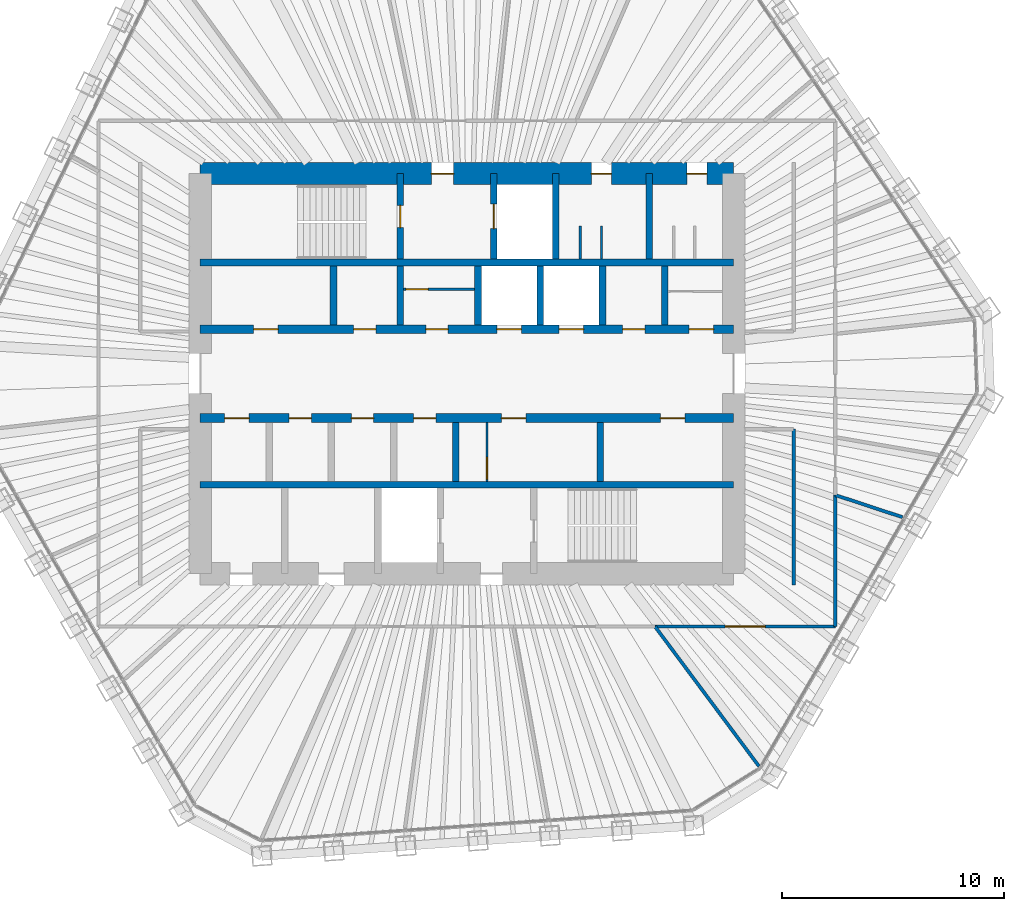
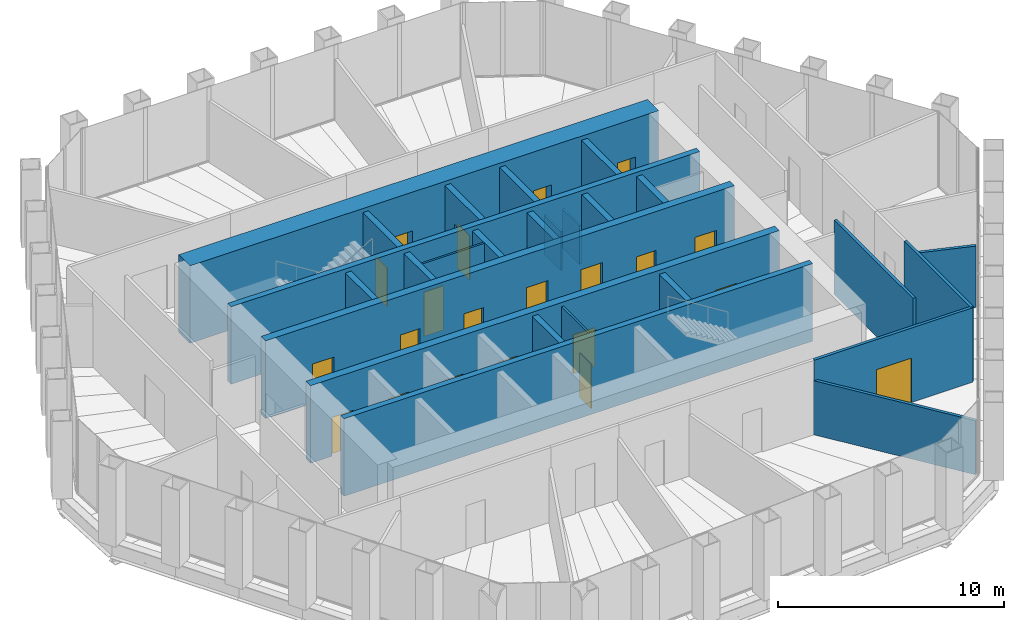
# One storey, part 12 of 14: 26 walls, 21 doors, 21 openings.
"""IFC4 building model written with IfcOpenShell, lengths in metres."""

import ifcopenshell
import ifcopenshell.guid

model = None  # the IFC model being written
_history = None  # IfcOwnerHistory: only IFC2X3 demands one
_inside = {}  # id of a spatial element -> (the spatial element, [elements in it])
_under = {}  # id of a project, library or spatial element -> (it, [spatial elements below it])
_declared = {}  # id of a project -> (the project, [libraries it declares])
_typed = {}  # id of a type object -> (the type object, [elements of that type])
_made_of = {}  # id of a material, layer set ... -> (it, [elements and type objects made of it])


def new_model(schema):
    """Start an empty IFC model of exactly this schema.

    Asked for "IFC4X3", IfcOpenShell would pick the latest addendum, in which some entities
    have other attributes; the version numbers below select the first issue.
    IFC2X3 requires an IfcOwnerHistory on every rooted entity: one is made here for all.
    """
    global model, _history
    if schema == "IFC4X3":
        model = ifcopenshell.file(schema_version=(4, 3, 0, 0))
    else:
        model = ifcopenshell.file(schema=schema)
    _inside.clear()
    _under.clear()
    _declared.clear()
    _typed.clear()
    _made_of.clear()
    _history = None
    if model.schema == "IFC2X3":
        org = make("IfcOrganization", Name="unknown")
        user = make(
            "IfcPersonAndOrganization",
            ThePerson=make("IfcPerson", FamilyName="unknown"),
            TheOrganization=org,
        )
        app = make(
            "IfcApplication",
            ApplicationDeveloper=org,
            Version="unknown",
            ApplicationFullName="unknown",
            ApplicationIdentifier="unknown",
        )
        _history = make(
            "IfcOwnerHistory",
            OwningUser=user,
            OwningApplication=app,
            ChangeAction="ADDED",
            CreationDate=0,
        )
    return model


def make(cls, **values):
    """One entity of the class cls with the attributes given. An attribute that is None is left unset."""
    return model.create_entity(
        cls, **{name: value for name, value in values.items() if value is not None}
    )


def rooted(cls, **values):
    """An entity with a GlobalId (a new one), such as an element, a storey or a relation."""
    return make(cls, GlobalId=ifcopenshell.guid.new(), OwnerHistory=_history, **values)


def si_unit(unit_type, name, prefix=None):
    """IfcSIUnit, for example si_unit("LENGTHUNIT", "METRE", prefix="MILLI")."""
    return make("IfcSIUnit", UnitType=unit_type, Prefix=prefix, Name=name)


def assignment(units):
    """IfcUnitAssignment: the units of a project."""
    return None if units is None else make("IfcUnitAssignment", Units=units)


def point(xyz):
    """IfcCartesianPoint."""
    return None if xyz is None else make("IfcCartesianPoint", Coordinates=xyz)


def direction(xyz):
    """IfcDirection."""
    return None if xyz is None else make("IfcDirection", DirectionRatios=xyz)


def frame(location, z_axis=None, x_axis=None):
    """IfcAxis2Placement3D, a coordinate frame: its origin and axes. An axis left out is left unset."""
    return make(
        "IfcAxis2Placement3D",
        Location=point(location),
        Axis=direction(z_axis),
        RefDirection=direction(x_axis),
    )


def frame_2d(location, x_axis=None):
    """IfcAxis2Placement2D, a coordinate frame in the plane: its origin and x axis."""
    return make(
        "IfcAxis2Placement2D", Location=point(location), RefDirection=direction(x_axis)
    )


def origin():
    """The frame at (0, 0, 0) with its axes left unset."""
    return frame((0.0, 0.0, 0.0))


def place(relative_to, where):
    """IfcLocalPlacement: puts the frame where relative to a parent placement (None: the world)."""
    return make(
        "IfcLocalPlacement", PlacementRelTo=relative_to, RelativePlacement=where
    )


def context(
    kind, dimensions, precision=None, world=None, true_north=None, identifier=None
):
    """IfcGeometricRepresentationContext, for example the 3D "Model" context."""
    return make(
        "IfcGeometricRepresentationContext",
        ContextIdentifier=identifier,
        ContextType=kind,
        CoordinateSpaceDimension=dimensions,
        Precision=precision,
        WorldCoordinateSystem=world,
        TrueNorth=true_north,
    )


def subcontext(parent, identifier, kind, view, scale=None):
    """IfcGeometricRepresentationSubContext, for example "Body" below "Model"."""
    return make(
        "IfcGeometricRepresentationSubContext",
        ContextIdentifier=identifier,
        ContextType=kind,
        ParentContext=parent,
        TargetScale=scale,
        TargetView=view,
    )


def project(units=None, contexts=None):
    """IfcProject with its units and contexts."""
    return rooted(
        "IfcProject",
        Name="project",
        RepresentationContexts=contexts,
        UnitsInContext=assignment(units),
    )


def spatial(cls, under=None, at=None, **own):
    """A site, building, storey or space (cls), placed at a placement, below another one or the project."""
    s = rooted(cls, ObjectPlacement=at, **own)
    if under is not None:
        _under.setdefault(under.id(), (under, []))[1].append(s)
    return s


def profile(cls, at=None, kind="AREA", **sizes):
    """A parametric profile (cls). Its sizes go by their IFC names, for example OverallWidth=200.0."""
    return make(cls, ProfileType=kind, Position=at, **sizes)


def rectangle(**sizes):
    """IfcRectangleProfileDef."""
    return profile("IfcRectangleProfileDef", **sizes)


def extrude(swept, where, along, depth):
    """IfcExtrudedAreaSolid: the profile swept, set in the frame where, extruded along a direction by depth."""
    return make(
        "IfcExtrudedAreaSolid",
        SweptArea=swept,
        Position=where,
        ExtrudedDirection=direction(along),
        Depth=depth,
    )


def shape(context_of_items, identifier, shape_type, items):
    """IfcShapeRepresentation: the items that make up one representation, for example the "Body"."""
    return make(
        "IfcShapeRepresentation",
        ContextOfItems=context_of_items,
        RepresentationIdentifier=identifier,
        RepresentationType=shape_type,
        Items=items,
    )


def material(Name=None, Category=None):
    """IfcMaterial."""
    return make("IfcMaterial", Name=Name, Category=Category)


def layer(
    of_material, thickness, ventilated=None, Name=None, Category=None, Priority=None
):
    """IfcMaterialLayer: one layer of a wall or slab, of a material (None: an air gap)."""
    return make(
        "IfcMaterialLayer",
        Material=of_material,
        LayerThickness=thickness,
        IsVentilated=ventilated,
        Name=Name,
        Category=Category,
        Priority=Priority,
    )


def layer_set(layers, Name=None):
    """IfcMaterialLayerSet."""
    return make("IfcMaterialLayerSet", MaterialLayers=layers, LayerSetName=Name)


def made_of(thing, what):
    """Note that an element or type object is made of a material, layer set ...; save() writes the relation."""
    if what is not None:
        _made_of.setdefault(what.id(), (what, []))[1].append(thing)
    return thing


def type_object(cls, material=None, **own):
    """A type object (cls), such as IfcWallType, which elements share."""
    return made_of(rooted(cls, **own), material)


def element(
    cls,
    number,
    at=None,
    inside=None,
    cuts=None,
    type_object=None,
    material=None,
    context=None,
    identifier="Body",
    shape_type=None,
    held_by="IfcProductDefinitionShape",
    body=None,
    shapes=None,
    **own,
):
    """One element of the class cls, such as IfcWall. Its Tag is "e" and its number.

    at: its placement. inside: the storey or other place that contains it. cuts: it is an
    opening in that element (IfcRelVoidsElement). A single representation is given by context,
    identifier, shape_type and body (its items); several are given by shapes. held_by: the class
    of the entity that holds the representations. save() writes the other relations.
    """
    e = rooted(cls, Tag="e%d" % number, ObjectPlacement=at, **own)
    if body is not None:
        shapes = [shape(context, identifier, shape_type, body)]
    if shapes is not None:
        e.Representation = make(held_by, Representations=shapes)
    if inside is not None:
        _inside.setdefault(inside.id(), (inside, []))[1].append(e)
    if cuts is not None:
        rooted(
            "IfcRelVoidsElement", RelatingBuildingElement=cuts, RelatedOpeningElement=e
        )
    if type_object is not None:
        _typed.setdefault(type_object.id(), (type_object, []))[1].append(e)
    return made_of(e, material)


def fill(opening, filler):
    """IfcRelFillsElement: the door or window that sits in an opening."""
    return rooted(
        "IfcRelFillsElement",
        RelatingOpeningElement=opening,
        RelatedBuildingElement=filler,
    )


def aggregate(whole, parts):
    """IfcRelAggregates: a whole, such as a stair, and the parts it consists of."""
    return rooted("IfcRelAggregates", RelatingObject=whole, RelatedObjects=parts)


def save(model, path):
    """Write the relations noted so far, then the file.

    IfcRelAggregates (storeys below a building ...), IfcRelContainedInSpatialStructure (elements
    in a storey), IfcRelDefinesByType, IfcRelAssociatesMaterial and IfcRelDeclares: one each for
    every whole, place, type object, material and project.
    """
    for whole, parts in _under.values():
        aggregate(whole, parts)
    for where, things in _inside.values():
        rooted(
            "IfcRelContainedInSpatialStructure",
            RelatedElements=things,
            RelatingStructure=where,
        )
    for kind, things in _typed.values():
        rooted("IfcRelDefinesByType", RelatedObjects=things, RelatingType=kind)
    for what, things in _made_of.values():
        rooted("IfcRelAssociatesMaterial", RelatedObjects=things, RelatingMaterial=what)
    for by, libraries in _declared.values():
        rooted("IfcRelDeclares", RelatingContext=by, RelatedDefinitions=libraries)
    model.write(path)


model = new_model("IFC4")

# Units and contexts
model_context = context("Model", 3, precision=1e-05, world=origin(), true_north=direction((0.0, 1.0)))
body_context = subcontext(model_context, "Body", "Model", "MODEL_VIEW")
ifc_project = project(units=[si_unit("LENGTHUNIT", "METRE"), si_unit("AREAUNIT", "SQUARE_METRE"), si_unit("VOLUMEUNIT", "CUBIC_METRE"), si_unit("PLANEANGLEUNIT", "RADIAN"), si_unit("MASSUNIT", "GRAM", prefix="KILO")], contexts=[model_context])

# Site, building, storey
site_placement = place(None, origin())
site = spatial("IfcSite", under=ifc_project, at=site_placement, CompositionType="ELEMENT")
building_placement = place(site_placement, origin())
building = spatial("IfcBuilding", under=site, at=building_placement, Name="Qingtian Harvest Tower", CompositionType="ELEMENT")
storey_placement = place(building_placement, frame((0.0, 0.0, 278.800048828125)))
storey = spatial("IfcBuildingStorey", under=building, at=storey_placement, Name="L61", CompositionType="ELEMENT", Elevation=278.800048828125)

# Walls
ifc_material_1 = material(Name="Concrete fc' 70 MPa", Category="concrete")
ifc_layer_1 = layer(ifc_material_1, 0.300048828125)
ifc_layer_set_1 = layer_set([ifc_layer_1], Name="Core inner wall RC5 300")
wall_type_1 = type_object("IfcWallType", Name="Core inner wall RC5 300", PredefinedType="SHEAR", material=ifc_layer_set_1)
for number, where, z_axis, x_axis, name in (
    (1, (-12.0, 5.0, 0.0), (0.0, 0.0, 1.0), (1.0, 0.0, 0.0), "Core wall IN5 L61"),
    (2, (-12.0, -5.0, 0.0), (0.0, 0.0, 1.0), (1.0, 0.0, 0.0), "Core wall IS5 L61"),
):
    element("IfcWall", number, at=place(storey_placement, frame(where, z_axis=z_axis, x_axis=x_axis)), inside=storey, type_object=wall_type_1, Name=name, PredefinedType="SHEAR", context=body_context, shape_type="SweptSolid", body=[
        extrude(rectangle(XDim=24.0, YDim=0.300048828125, at=frame_2d((12.0, 0.0))), origin(), (0.0, 0.0, 1.0), 4.199951171875),
    ])

# Wall, openings, doors
ifc_material_2 = material(Name="Concrete fc' 70 MPa", Category="concrete")
ifc_layer_2 = layer(ifc_material_2, 0.39990234375)
ifc_layer_set_2 = layer_set([ifc_layer_2], Name="Core inner web RC6 400")
wall_type_2 = type_object("IfcWallType", Name="Core inner web RC6 400", PredefinedType="SHEAR", material=ifc_layer_set_2)
wall_1_placement = place(storey_placement, frame((-12.0, 2.0, 0.0), z_axis=(0.0, 0.0, 1.0), x_axis=(1.0, 0.0, 0.0)))
wall_1 = element("IfcWall", 3, at=wall_1_placement, inside=storey, type_object=wall_type_2, Name="Core wall IN2 L61", PredefinedType="SHEAR", context=body_context, shape_type="SweptSolid", body=[
    extrude(rectangle(XDim=24.0, YDim=0.39990234375, at=frame_2d((12.0, 0.0))), origin(), (0.0, 0.0, 1.0), 4.199951171875),
])
opening_1_placement = place(wall_1_placement, frame((2.39990234375, 0.0, 0.0)))
opening_1 = element("IfcOpeningElement", 4, at=opening_1_placement, cuts=wall_1, Name="Opening FD4", PredefinedType="OPENING", context=body_context, shape_type="SweptSolid", body=[
    extrude(rectangle(XDim=1.10009765625, YDim=2.10009765625, at=frame_2d((0.550048828125, 1.050048828125))), frame((0.0, 0.2099609375, 0.0), z_axis=(0.0, -1.0, 0.0), x_axis=(1.0, 0.0, 0.0)), (0.0, 0.0, 1.0), 0.419921875),
])
opening_2_placement = place(wall_1_placement, frame((22.0, 0.0, 0.0)))
opening_2 = element("IfcOpeningElement", 5, at=opening_2_placement, cuts=wall_1, Name="Opening FD4", PredefinedType="OPENING", context=body_context, shape_type="SweptSolid", body=[
    extrude(rectangle(XDim=1.10009765625, YDim=2.10009765625, at=frame_2d((0.550048828125, 1.050048828125))), frame((0.0, 0.2099609375, 0.0), z_axis=(0.0, -1.0, 0.0), x_axis=(1.0, 0.0, 0.0)), (0.0, 0.0, 1.0), 0.419921875),
])
opening_3_placement = place(wall_1_placement, frame((10.14990234375, 0.0, 0.0)))
opening_3 = element("IfcOpeningElement", 6, at=opening_3_placement, cuts=wall_1, Name="Opening FD1", PredefinedType="OPENING", context=body_context, shape_type="SweptSolid", body=[
    extrude(rectangle(XDim=1.0, YDim=2.10009765625, at=frame_2d((0.5, 1.050048828125))), frame((0.0, 0.2099609375, 0.0), z_axis=(0.0, -1.0, 0.0), x_axis=(1.0, 0.0, 0.0)), (0.0, 0.0, 1.0), 0.419921875),
])
opening_4_placement = place(wall_1_placement, frame((6.89990234375, 0.0, 0.0)))
opening_4 = element("IfcOpeningElement", 7, at=opening_4_placement, cuts=wall_1, Name="Opening FD1", PredefinedType="OPENING", context=body_context, shape_type="SweptSolid", body=[
    extrude(rectangle(XDim=1.0, YDim=2.10009765625, at=frame_2d((0.5, 1.050048828125))), frame((0.0, 0.2099609375, 0.0), z_axis=(0.0, -1.0, 0.0), x_axis=(1.0, 0.0, 0.0)), (0.0, 0.0, 1.0), 0.419921875),
])
opening_5_placement = place(wall_1_placement, frame((13.35009765625, 0.0, 0.0)))
opening_5 = element("IfcOpeningElement", 8, at=opening_5_placement, cuts=wall_1, Name="Opening LD1", PredefinedType="OPENING", context=body_context, shape_type="SweptSolid", body=[
    extrude(rectangle(XDim=1.10009765625, YDim=2.39990234375, at=frame_2d((0.550048828125, 1.199951171875))), frame((0.0, 0.2099609375, 0.0), z_axis=(0.0, -1.0, 0.0), x_axis=(1.0, 0.0, 0.0)), (0.0, 0.0, 1.0), 0.419921875),
])
opening_6_placement = place(wall_1_placement, frame((16.14990234375, 0.0, 0.0)))
opening_6 = element("IfcOpeningElement", 9, at=opening_6_placement, cuts=wall_1, Name="Opening LD1", PredefinedType="OPENING", context=body_context, shape_type="SweptSolid", body=[
    extrude(rectangle(XDim=1.10009765625, YDim=2.39990234375, at=frame_2d((0.550048828125, 1.199951171875))), frame((0.0, 0.2099609375, 0.0), z_axis=(0.0, -1.0, 0.0), x_axis=(1.0, 0.0, 0.0)), (0.0, 0.0, 1.0), 0.419921875),
])
opening_7_placement = place(wall_1_placement, frame((19.0, 0.0, 0.0)))
opening_7 = element("IfcOpeningElement", 10, at=opening_7_placement, cuts=wall_1, Name="Opening FD1", PredefinedType="OPENING", context=body_context, shape_type="SweptSolid", body=[
    extrude(rectangle(XDim=1.0, YDim=2.10009765625, at=frame_2d((0.5, 1.050048828125))), frame((0.0, 0.2099609375, 0.0), z_axis=(0.0, -1.0, 0.0), x_axis=(1.0, 0.0, 0.0)), (0.0, 0.0, 1.0), 0.419921875),
])
ifc_material_3 = material(Name="Steel-faced door leaf", Category="steel")
door_type_1 = type_object("IfcDoorType", Name="Fire door FD1 single 1 HR", OperationType="SINGLE_SWING_LEFT", PredefinedType="DOOR", material=ifc_material_3)
door_1_placement = place(opening_3_placement, origin())
door_1 = element("IfcDoor", 11, at=door_1_placement, inside=storey, type_object=door_type_1, Name="STA door L61", OperationType="SINGLE_SWING_RIGHT", OverallHeight=2.10009765625, OverallWidth=1.0, PredefinedType="DOOR", context=body_context, shape_type="SweptSolid", body=[
    extrude(rectangle(XDim=1.0, YDim=2.10009765625, at=frame_2d((0.5, 1.050048828125))), frame((0.0, 0.02490234375, 0.0), z_axis=(0.0, -1.0, 0.0), x_axis=(1.0, 0.0, 0.0)), (0.0, 0.0, 1.0), 0.050048828125),
])
fill(opening_3, door_1)
door_2_placement = place(opening_4_placement, origin())
door_2 = element("IfcDoor", 12, at=door_2_placement, inside=storey, type_object=door_type_1, Name="Pantry door L61", OperationType="SINGLE_SWING_RIGHT", OverallHeight=2.10009765625, OverallWidth=1.0, PredefinedType="DOOR", context=body_context, shape_type="SweptSolid", body=[
    extrude(rectangle(XDim=1.0, YDim=2.10009765625, at=frame_2d((0.5, 1.050048828125))), frame((0.0, 0.02490234375, 0.0), z_axis=(0.0, -1.0, 0.0), x_axis=(1.0, 0.0, 0.0)), (0.0, 0.0, 1.0), 0.050048828125),
])
fill(opening_4, door_2)
door_3_placement = place(opening_7_placement, origin())
door_3 = element("IfcDoor", 13, at=door_3_placement, inside=storey, type_object=door_type_1, Name="Tool store door L61", OperationType="SINGLE_SWING_RIGHT", OverallHeight=2.10009765625, OverallWidth=1.0, PredefinedType="DOOR", context=body_context, shape_type="SweptSolid", body=[
    extrude(rectangle(XDim=1.0, YDim=2.10009765625, at=frame_2d((0.5, 1.050048828125))), frame((0.0, 0.02490234375, 0.0), z_axis=(0.0, -1.0, 0.0), x_axis=(1.0, 0.0, 0.0)), (0.0, 0.0, 1.0), 0.050048828125),
])
fill(opening_7, door_3)
ifc_material_4 = material(Name="Steel-faced door leaf", Category="steel")
door_type_2 = type_object("IfcDoorType", Name="Fire door FD4 single 2 HR", OperationType="SINGLE_SWING_LEFT", PredefinedType="DOOR", material=ifc_material_4)
door_4_placement = place(opening_1_placement, origin())
door_4 = element("IfcDoor", 14, at=door_4_placement, inside=storey, type_object=door_type_2, Name="RA door L61", OperationType="SINGLE_SWING_LEFT", OverallHeight=2.10009765625, OverallWidth=1.10009765625, PredefinedType="DOOR", context=body_context, shape_type="SweptSolid", body=[
    extrude(rectangle(XDim=1.10009765625, YDim=2.10009765625, at=frame_2d((0.550048828125, 1.050048828125))), frame((0.0, 0.02490234375, 0.0), z_axis=(0.0, -1.0, 0.0), x_axis=(1.0, 0.0, 0.0)), (0.0, 0.0, 1.0), 0.050048828125),
])
fill(opening_1, door_4)
door_5_placement = place(opening_2_placement, origin())
door_5 = element("IfcDoor", 15, at=door_5_placement, inside=storey, type_object=door_type_2, Name="AHU door L61", OperationType="SINGLE_SWING_LEFT", OverallHeight=2.10009765625, OverallWidth=1.10009765625, PredefinedType="DOOR", context=body_context, shape_type="SweptSolid", body=[
    extrude(rectangle(XDim=1.10009765625, YDim=2.10009765625, at=frame_2d((0.550048828125, 1.050048828125))), frame((0.0, 0.02490234375, 0.0), z_axis=(0.0, -1.0, 0.0), x_axis=(1.0, 0.0, 0.0)), (0.0, 0.0, 1.0), 0.050048828125),
])
fill(opening_2, door_5)
ifc_material_5 = material(Name="Stainless steel lift landing door", Category="steel")
door_type_3 = type_object("IfcDoorType", Name="Lift landing door LD1 1 HR", OperationType="DOUBLE_DOOR_SLIDING", PredefinedType="DOOR", material=ifc_material_5)
door_6_placement = place(opening_5_placement, origin())
door_6 = element("IfcDoor", 16, at=door_6_placement, inside=storey, type_object=door_type_3, Name="PLD1 landing door L61", OperationType="DOUBLE_DOOR_SLIDING", OverallHeight=2.39990234375, OverallWidth=1.10009765625, PredefinedType="DOOR", context=body_context, shape_type="SweptSolid", body=[
    extrude(rectangle(XDim=1.10009765625, YDim=2.39990234375, at=frame_2d((0.550048828125, 1.199951171875))), frame((0.0, 0.02490234375, 0.0), z_axis=(0.0, -1.0, 0.0), x_axis=(1.0, 0.0, 0.0)), (0.0, 0.0, 1.0), 0.050048828125),
])
fill(opening_5, door_6)
door_7_placement = place(opening_6_placement, origin())
door_7 = element("IfcDoor", 17, at=door_7_placement, inside=storey, type_object=door_type_3, Name="PLD2 landing door L61", OperationType="DOUBLE_DOOR_SLIDING", OverallHeight=2.39990234375, OverallWidth=1.10009765625, PredefinedType="DOOR", context=body_context, shape_type="SweptSolid", body=[
    extrude(rectangle(XDim=1.10009765625, YDim=2.39990234375, at=frame_2d((0.550048828125, 1.199951171875))), frame((0.0, 0.02490234375, 0.0), z_axis=(0.0, -1.0, 0.0), x_axis=(1.0, 0.0, 0.0)), (0.0, 0.0, 1.0), 0.050048828125),
])
fill(opening_6, door_7)

wall_2_placement = place(storey_placement, frame((-12.0, -2.0, 0.0), z_axis=(0.0, 0.0, 1.0), x_axis=(1.0, 0.0, 0.0)))
wall_2 = element("IfcWall", 18, at=wall_2_placement, inside=storey, type_object=wall_type_2, Name="Core wall IS2 L61", PredefinedType="SHEAR", context=body_context, shape_type="SweptSolid", body=[
    extrude(rectangle(XDim=24.0, YDim=0.39990234375, at=frame_2d((12.0, 0.0))), origin(), (0.0, 0.0, 1.0), 4.199951171875),
])
opening_8_placement = place(wall_2_placement, frame((1.10009765625, 0.0, 0.0)))
opening_8 = element("IfcOpeningElement", 19, at=opening_8_placement, cuts=wall_2, Name="Opening FD4", PredefinedType="OPENING", context=body_context, shape_type="SweptSolid", body=[
    extrude(rectangle(XDim=1.10009765625, YDim=2.10009765625, at=frame_2d((0.550048828125, 1.050048828125))), frame((0.0, 0.2099609375, 0.0), z_axis=(0.0, -1.0, 0.0), x_axis=(1.0, 0.0, 0.0)), (0.0, 0.0, 1.0), 0.419921875),
])
opening_9_placement = place(wall_2_placement, frame((13.550048828125, 0.0, 0.0)))
opening_9 = element("IfcOpeningElement", 20, at=opening_9_placement, cuts=wall_2, Name="Opening FD4", PredefinedType="OPENING", context=body_context, shape_type="SweptSolid", body=[
    extrude(rectangle(XDim=1.10009765625, YDim=2.10009765625, at=frame_2d((0.550048828125, 1.050048828125))), frame((0.0, 0.2099609375, 0.0), z_axis=(0.0, -1.0, 0.0), x_axis=(1.0, 0.0, 0.0)), (0.0, 0.0, 1.0), 0.419921875),
])
opening_10_placement = place(wall_2_placement, frame((20.699951171875, 0.0, 0.0)))
opening_10 = element("IfcOpeningElement", 21, at=opening_10_placement, cuts=wall_2, Name="Opening FD4", PredefinedType="OPENING", context=body_context, shape_type="SweptSolid", body=[
    extrude(rectangle(XDim=1.10009765625, YDim=2.10009765625, at=frame_2d((0.550048828125, 1.050048828125))), frame((0.0, 0.2099609375, 0.0), z_axis=(0.0, -1.0, 0.0), x_axis=(1.0, 0.0, 0.0)), (0.0, 0.0, 1.0), 0.419921875),
])
opening_11_placement = place(wall_2_placement, frame((4.0, 0.0, 0.0)))
opening_11 = element("IfcOpeningElement", 22, at=opening_11_placement, cuts=wall_2, Name="Opening FD1", PredefinedType="OPENING", context=body_context, shape_type="SweptSolid", body=[
    extrude(rectangle(XDim=1.0, YDim=2.10009765625, at=frame_2d((0.5, 1.050048828125))), frame((0.0, 0.2099609375, 0.0), z_axis=(0.0, -1.0, 0.0), x_axis=(1.0, 0.0, 0.0)), (0.0, 0.0, 1.0), 0.419921875),
])
opening_12_placement = place(wall_2_placement, frame((6.800048828125, 0.0, 0.0)))
opening_12 = element("IfcOpeningElement", 23, at=opening_12_placement, cuts=wall_2, Name="Opening FD1", PredefinedType="OPENING", context=body_context, shape_type="SweptSolid", body=[
    extrude(rectangle(XDim=1.0, YDim=2.10009765625, at=frame_2d((0.5, 1.050048828125))), frame((0.0, 0.2099609375, 0.0), z_axis=(0.0, -1.0, 0.0), x_axis=(1.0, 0.0, 0.0)), (0.0, 0.0, 1.0), 0.419921875),
])
opening_13_placement = place(wall_2_placement, frame((9.60009765625, 0.0, 0.0)))
opening_13 = element("IfcOpeningElement", 24, at=opening_13_placement, cuts=wall_2, Name="Opening FD1", PredefinedType="OPENING", context=body_context, shape_type="SweptSolid", body=[
    extrude(rectangle(XDim=1.0, YDim=2.10009765625, at=frame_2d((0.5, 1.050048828125))), frame((0.0, 0.2099609375, 0.0), z_axis=(0.0, -1.0, 0.0), x_axis=(1.0, 0.0, 0.0)), (0.0, 0.0, 1.0), 0.419921875),
])
door_8_placement = place(opening_11_placement, origin())
door_8 = element("IfcDoor", 25, at=door_8_placement, inside=storey, type_object=door_type_1, Name="Store door L61", OperationType="SINGLE_SWING_RIGHT", OverallHeight=2.10009765625, OverallWidth=1.0, PredefinedType="DOOR", context=body_context, shape_type="SweptSolid", body=[
    extrude(rectangle(XDim=1.0, YDim=2.10009765625, at=frame_2d((0.5, 1.050048828125))), frame((0.0, 0.02490234375, 0.0), z_axis=(0.0, -1.0, 0.0), x_axis=(1.0, 0.0, 0.0)), (0.0, 0.0, 1.0), 0.050048828125),
])
fill(opening_11, door_8)
door_9_placement = place(opening_12_placement, origin())
door_9 = element("IfcDoor", 26, at=door_9_placement, inside=storey, type_object=door_type_1, Name="Linen store door L61", OperationType="SINGLE_SWING_RIGHT", OverallHeight=2.10009765625, OverallWidth=1.0, PredefinedType="DOOR", context=body_context, shape_type="SweptSolid", body=[
    extrude(rectangle(XDim=1.0, YDim=2.10009765625, at=frame_2d((0.5, 1.050048828125))), frame((0.0, 0.02490234375, 0.0), z_axis=(0.0, -1.0, 0.0), x_axis=(1.0, 0.0, 0.0)), (0.0, 0.0, 1.0), 0.050048828125),
])
fill(opening_12, door_9)
door_10_placement = place(opening_13_placement, origin())
door_10 = element("IfcDoor", 27, at=door_10_placement, inside=storey, type_object=door_type_1, Name="Staff WC door L61", OperationType="SINGLE_SWING_RIGHT", OverallHeight=2.10009765625, OverallWidth=1.0, PredefinedType="DOOR", context=body_context, shape_type="SweptSolid", body=[
    extrude(rectangle(XDim=1.0, YDim=2.10009765625, at=frame_2d((0.5, 1.050048828125))), frame((0.0, 0.02490234375, 0.0), z_axis=(0.0, -1.0, 0.0), x_axis=(1.0, 0.0, 0.0)), (0.0, 0.0, 1.0), 0.050048828125),
])
fill(opening_13, door_10)
door_11_placement = place(opening_8_placement, origin())
door_11 = element("IfcDoor", 28, at=door_11_placement, inside=storey, type_object=door_type_2, Name="RB door L61", OperationType="SINGLE_SWING_LEFT", OverallHeight=2.10009765625, OverallWidth=1.10009765625, PredefinedType="DOOR", context=body_context, shape_type="SweptSolid", body=[
    extrude(rectangle(XDim=1.10009765625, YDim=2.10009765625, at=frame_2d((0.550048828125, 1.050048828125))), frame((0.0, 0.02490234375, 0.0), z_axis=(0.0, -1.0, 0.0), x_axis=(1.0, 0.0, 0.0)), (0.0, 0.0, 1.0), 0.050048828125),
])
fill(opening_8, door_11)
door_12_placement = place(opening_9_placement, origin())
door_12 = element("IfcDoor", 29, at=door_12_placement, inside=storey, type_object=door_type_2, Name="ELEC door L61", OperationType="SINGLE_SWING_LEFT", OverallHeight=2.10009765625, OverallWidth=1.10009765625, PredefinedType="DOOR", context=body_context, shape_type="SweptSolid", body=[
    extrude(rectangle(XDim=1.10009765625, YDim=2.10009765625, at=frame_2d((0.550048828125, 1.050048828125))), frame((0.0, 0.02490234375, 0.0), z_axis=(0.0, -1.0, 0.0), x_axis=(1.0, 0.0, 0.0)), (0.0, 0.0, 1.0), 0.050048828125),
])
fill(opening_9, door_12)
door_13_placement = place(opening_10_placement, origin())
door_13 = element("IfcDoor", 30, at=door_13_placement, inside=storey, type_object=door_type_2, Name="DUCT door L61", OperationType="SINGLE_SWING_RIGHT", OverallHeight=2.10009765625, OverallWidth=1.10009765625, PredefinedType="DOOR", context=body_context, shape_type="SweptSolid", body=[
    extrude(rectangle(XDim=1.10009765625, YDim=2.10009765625, at=frame_2d((0.550048828125, 1.050048828125))), frame((0.0, 0.02490234375, 0.0), z_axis=(0.0, -1.0, 0.0), x_axis=(1.0, 0.0, 0.0)), (0.0, 0.0, 1.0), 0.050048828125),
])
fill(opening_10, door_13)

# Wall, opening, door
ifc_material_6 = material(Name="Precast concrete shaft panel", Category="concrete")
ifc_layer_3 = layer(ifc_material_6, 0.300048828125)
ifc_layer_set_3 = layer_set([ifc_layer_3], Name="Core shaft partition SW1 300")
wall_type_3 = type_object("IfcWallType", Name="Core shaft partition SW1 300", PredefinedType="PARTITIONING", material=ifc_layer_set_3)
wall_3_placement = place(storey_placement, frame((-3.0, 5.14990234375, 0.0), z_axis=(0.0, 0.0, 1.0), x_axis=(0.0, 1.0, 0.0)))
wall_3 = element("IfcWall", 31, at=wall_3_placement, inside=storey, type_object=wall_type_3, Name="Core shaft partition XN1 L61", PredefinedType="PARTITIONING", context=body_context, shape_type="SweptSolid", body=[
    extrude(rectangle(XDim=3.85009765625, YDim=0.300048828125, at=frame_2d((1.925048828125, 0.0))), origin(), (0.0, 0.0, 1.0), 3.97998046875),
])
opening_14_placement = place(wall_3_placement, frame((1.425048828125, 0.0, 0.0)))
opening_14 = element("IfcOpeningElement", 32, at=opening_14_placement, cuts=wall_3, Name="Opening FD1", PredefinedType="OPENING", context=body_context, shape_type="SweptSolid", body=[
    extrude(rectangle(XDim=1.0, YDim=2.10009765625, at=frame_2d((0.5, 1.050048828125))), frame((0.0, 0.159912109375, 0.0), z_axis=(0.0, -1.0, 0.0), x_axis=(1.0, 0.0, 0.0)), (0.0, 0.0, 1.0), 0.320068359375),
])
door_14_placement = place(opening_14_placement, origin())
door_14 = element("IfcDoor", 33, at=door_14_placement, inside=storey, type_object=door_type_1, Name="S1 door L61", OperationType="SINGLE_SWING_LEFT", OverallHeight=2.10009765625, OverallWidth=1.0, PredefinedType="DOOR", context=body_context, shape_type="SweptSolid", body=[
    extrude(rectangle(XDim=1.0, YDim=2.10009765625, at=frame_2d((0.5, 1.050048828125))), frame((0.0, 0.02490234375, 0.0), z_axis=(0.0, -1.0, 0.0), x_axis=(1.0, 0.0, 0.0)), (0.0, 0.0, 1.0), 0.050048828125),
])
fill(opening_14, door_14)

wall_4_placement = place(storey_placement, frame((1.199951171875, 5.14990234375, 0.0), z_axis=(0.0, 0.0, 1.0), x_axis=(0.0, 1.0, 0.0)))
wall_4 = element("IfcWall", 34, at=wall_4_placement, inside=storey, type_object=wall_type_3, Name="Core shaft partition XN2 L61", PredefinedType="PARTITIONING", context=body_context, shape_type="SweptSolid", body=[
    extrude(rectangle(XDim=3.85009765625, YDim=0.300048828125, at=frame_2d((1.925048828125, 0.0))), origin(), (0.0, 0.0, 1.0), 3.97998046875),
])
opening_15_placement = place(wall_4_placement, frame((1.375, 0.0, 0.0)))
opening_15 = element("IfcOpeningElement", 35, at=opening_15_placement, cuts=wall_4, Name="Opening LD1", PredefinedType="OPENING", context=body_context, shape_type="SweptSolid", body=[
    extrude(rectangle(XDim=1.10009765625, YDim=2.39990234375, at=frame_2d((0.550048828125, 1.199951171875))), frame((0.0, 0.159912109375, 0.0), z_axis=(0.0, -1.0, 0.0), x_axis=(1.0, 0.0, 0.0)), (0.0, 0.0, 1.0), 0.320068359375),
])
door_15_placement = place(opening_15_placement, origin())
door_15 = element("IfcDoor", 36, at=door_15_placement, inside=storey, type_object=door_type_3, Name="FL1 landing door L61", OperationType="DOUBLE_DOOR_SLIDING", OverallHeight=2.39990234375, OverallWidth=1.10009765625, PredefinedType="DOOR", context=body_context, shape_type="SweptSolid", body=[
    extrude(rectangle(XDim=1.10009765625, YDim=2.39990234375, at=frame_2d((0.550048828125, 1.199951171875))), frame((0.0, 0.02490234375, 0.0), z_axis=(0.0, -1.0, 0.0), x_axis=(1.0, 0.0, 0.0)), (0.0, 0.0, 1.0), 0.050048828125),
])
fill(opening_15, door_15)

# Walls
for number, where, z_axis, x_axis, name in (
    (37, (4.0, 5.14990234375, 0.0), (0.0, 0.0, 1.0), (0.0, 1.0, 0.0), "Core shaft partition XN3 L61"),
    (38, (8.199951171875, 5.14990234375, 0.0), (0.0, 0.0, 1.0), (0.0, 1.0, 0.0), "Core shaft partition XN4 L61"),
):
    element("IfcWall", number, at=place(storey_placement, frame(where, z_axis=z_axis, x_axis=x_axis)), inside=storey, type_object=wall_type_3, Name=name, PredefinedType="PARTITIONING", context=body_context, shape_type="SweptSolid", body=[
        extrude(rectangle(XDim=3.85009765625, YDim=0.300048828125, at=frame_2d((1.925048828125, 0.0))), origin(), (0.0, 0.0, 1.0), 3.97998046875),
    ])
for number, where, z_axis, x_axis, name in (
    (39, (-6.0, 2.199951171875, 0.0), (0.0, 0.0, 1.0), (0.0, 1.0, 0.0), "Core shaft partition XA1 L61"),
    (40, (-3.0, 2.199951171875, 0.0), (0.0, 0.0, 1.0), (0.0, 1.0, 0.0), "Core shaft partition XA2 L61"),
    (41, (0.5, 2.199951171875, 0.0), (0.0, 0.0, 1.0), (0.0, 1.0, 0.0), "Core shaft partition XA3 L61"),
    (42, (3.300048828125, 2.199951171875, 0.0), (0.0, 0.0, 1.0), (0.0, 1.0, 0.0), "Core shaft partition XA4 L61"),
    (43, (6.10009765625, 2.199951171875, 0.0), (0.0, 0.0, 1.0), (0.0, 1.0, 0.0), "Core shaft partition XA5 L61"),
    (44, (8.89990234375, 2.199951171875, 0.0), (0.0, 0.0, 1.0), (0.0, 1.0, 0.0), "Core shaft partition XA6 L61"),
    (45, (-0.5, -4.85009765625, 0.0), (0.0, 0.0, 1.0), (0.0, 1.0, 0.0), "Core shaft partition XB4 L61"),
    (46, (6.0, -4.85009765625, 0.0), (0.0, 0.0, 1.0), (0.0, 1.0, 0.0), "Core shaft partition XB5 L61"),
):
    element("IfcWall", number, at=place(storey_placement, frame(where, z_axis=z_axis, x_axis=x_axis)), inside=storey, type_object=wall_type_3, Name=name, PredefinedType="PARTITIONING", context=body_context, shape_type="SweptSolid", body=[
        extrude(rectangle(XDim=2.650146484375, YDim=0.300048828125, at=frame_2d((1.3251953125, 0.0))), origin(), (0.0, 0.0, 1.0), 3.97998046875),
    ])

# Wall, openings, doors
ifc_material_7 = material(Name="Concrete fc' 70 MPa", Category="concrete")
ifc_layer_4 = layer(ifc_material_7, 1.0)
ifc_layer_set_4 = layer_set([ifc_layer_4], Name="Core wall RC3 1000")
wall_type_4 = type_object("IfcWallType", Name="Core wall RC3 1000", PredefinedType="SHEAR", material=ifc_layer_set_4)
wall_5_placement = place(storey_placement, frame((-12.0, 9.0, 0.0), z_axis=(0.0, 0.0, 1.0), x_axis=(1.0, 0.0, 0.0)))
wall_5 = element("IfcWall", 47, at=wall_5_placement, inside=storey, type_object=wall_type_4, Name="Core wall CN L61", PredefinedType="SHEAR", context=body_context, shape_type="SweptSolid", body=[
    extrude(rectangle(XDim=24.0, YDim=1.0, at=frame_2d((12.0, 0.0))), origin(), (0.0, 0.0, 1.0), 4.199951171875),
])
opening_16_placement = place(wall_5_placement, frame((10.39990234375, 0.0, 0.0)))
opening_16 = element("IfcOpeningElement", 48, at=opening_16_placement, cuts=wall_5, Name="Opening FD1", PredefinedType="OPENING", context=body_context, shape_type="SweptSolid", body=[
    extrude(rectangle(XDim=1.0, YDim=2.10009765625, at=frame_2d((0.5, 1.050048828125))), frame((0.0, 0.510009765625, 0.0), z_axis=(0.0, -1.0, 0.0), x_axis=(1.0, 0.0, 0.0)), (0.0, 0.0, 1.0), 1.02001953125),
])
opening_17_placement = place(wall_5_placement, frame((17.60009765625, 0.0, 0.0)))
opening_17 = element("IfcOpeningElement", 49, at=opening_17_placement, cuts=wall_5, Name="Opening D1", PredefinedType="OPENING", context=body_context, shape_type="SweptSolid", body=[
    extrude(rectangle(XDim=0.89990234375, YDim=2.10009765625, at=frame_2d((0.449951171875, 1.050048828125))), frame((0.0, 0.510009765625, 0.0), z_axis=(0.0, -1.0, 0.0), x_axis=(1.0, 0.0, 0.0)), (0.0, 0.0, 1.0), 1.02001953125),
])
opening_18_placement = place(wall_5_placement, frame((21.89990234375, 0.0, 0.0)))
opening_18 = element("IfcOpeningElement", 50, at=opening_18_placement, cuts=wall_5, Name="Opening D1", PredefinedType="OPENING", context=body_context, shape_type="SweptSolid", body=[
    extrude(rectangle(XDim=0.89990234375, YDim=2.10009765625, at=frame_2d((0.449951171875, 1.050048828125))), frame((0.0, 0.510009765625, 0.0), z_axis=(0.0, -1.0, 0.0), x_axis=(1.0, 0.0, 0.0)), (0.0, 0.0, 1.0), 1.02001953125),
])
door_16_placement = place(opening_16_placement, origin())
door_16 = element("IfcDoor", 51, at=door_16_placement, inside=storey, type_object=door_type_1, Name="V1 door L61", OperationType="SINGLE_SWING_LEFT", OverallHeight=2.10009765625, OverallWidth=1.0, PredefinedType="DOOR", context=body_context, shape_type="SweptSolid", body=[
    extrude(rectangle(XDim=1.0, YDim=2.10009765625, at=frame_2d((0.5, 1.050048828125))), frame((0.0, 0.02490234375, 0.0), z_axis=(0.0, -1.0, 0.0), x_axis=(1.0, 0.0, 0.0)), (0.0, 0.0, 1.0), 0.050048828125),
])
fill(opening_16, door_16)
ifc_material_8 = material(Name="Laminated timber door leaf", Category="wood")
door_type_4 = type_object("IfcDoorType", Name="Toilet door D1 single", OperationType="SINGLE_SWING_LEFT", PredefinedType="DOOR", material=ifc_material_8)
door_17_placement = place(opening_17_placement, origin())
door_17 = element("IfcDoor", 52, at=door_17_placement, inside=storey, type_object=door_type_4, Name="WCM door L61", OperationType="SINGLE_SWING_RIGHT", OverallHeight=2.10009765625, OverallWidth=0.89990234375, PredefinedType="DOOR", context=body_context, shape_type="SweptSolid", body=[
    extrude(rectangle(XDim=0.89990234375, YDim=2.10009765625, at=frame_2d((0.449951171875, 1.050048828125))), frame((0.0, 0.02490234375, 0.0), z_axis=(0.0, -1.0, 0.0), x_axis=(1.0, 0.0, 0.0)), (0.0, 0.0, 1.0), 0.050048828125),
])
fill(opening_17, door_17)
door_18_placement = place(opening_18_placement, origin())
door_18 = element("IfcDoor", 53, at=door_18_placement, inside=storey, type_object=door_type_4, Name="WCF door L61", OperationType="SINGLE_SWING_RIGHT", OverallHeight=2.10009765625, OverallWidth=0.89990234375, PredefinedType="DOOR", context=body_context, shape_type="SweptSolid", body=[
    extrude(rectangle(XDim=0.89990234375, YDim=2.10009765625, at=frame_2d((0.449951171875, 1.050048828125))), frame((0.0, 0.02490234375, 0.0), z_axis=(0.0, -1.0, 0.0), x_axis=(1.0, 0.0, 0.0)), (0.0, 0.0, 1.0), 0.050048828125),
])
fill(opening_18, door_18)

# Walls
ifc_material_9 = material(Name="Gypsum board on steel studs", Category="steel")
ifc_layer_5 = layer(ifc_material_9, 0.14990234375)
ifc_layer_set_5 = layer_set([ifc_layer_5], Name="Partition PT1 150")
wall_type_5 = type_object("IfcWallType", Name="Partition PT1 150", PredefinedType="PARTITIONING", material=ifc_layer_set_5)
wall_6_placement = place(storey_placement, frame((19.598388671875, -6.458740234375, 0.0), z_axis=(0.0, 0.0, 1.0), x_axis=(-0.949759114669, 0.312981827113, 0.0)))
element("IfcWall", 54, at=wall_6_placement, inside=storey, type_object=wall_type_5, Name="Workplace zone wall L61", PredefinedType="PARTITIONING", context=body_context, shape_type="SweptSolid", body=[
    extrude(rectangle(XDim=3.183349609375, YDim=0.14990234375, at=frame_2d((1.591796875, 0.0))), origin(), (0.0, 0.0, 1.0), 3.329833984375),
])
wall_7_placement = place(storey_placement, frame((16.574951171875, -5.46240234375, 0.0), z_axis=(0.0, 0.0, 1.0), x_axis=(0.0, -1.0, 0.0)))
element("IfcWall", 55, at=wall_7_placement, inside=storey, type_object=wall_type_5, Name="Workplace zone wall L61", PredefinedType="PARTITIONING", context=body_context, shape_type="SweptSolid", body=[
    extrude(rectangle(XDim=5.91259765625, YDim=0.14990234375, at=frame_2d((2.956298828125, 0.0))), origin(), (0.0, 0.0, 1.0), 4.030029296875),
])

# Wall, opening, door
wall_8_placement = place(storey_placement, frame((16.574951171875, -11.375, 0.0), z_axis=(0.0, 0.0, 1.0), x_axis=(-1.0, 0.0, 0.0)))
wall_8 = element("IfcWall", 56, at=wall_8_placement, inside=storey, type_object=wall_type_5, Name="Workplace zone wall L61", PredefinedType="PARTITIONING", context=body_context, shape_type="SweptSolid", body=[
    extrude(rectangle(XDim=8.113525390625, YDim=0.14990234375, at=frame_2d((4.056640625, 0.0))), origin(), (0.0, 0.0, 1.0), 4.030029296875),
])
opening_19_placement = place(wall_8_placement, frame((3.15673828125, 0.0, 0.0)))
opening_19 = element("IfcOpeningElement", 57, at=opening_19_placement, cuts=wall_8, Name="Opening D3", PredefinedType="OPENING", context=body_context, shape_type="SweptSolid", body=[
    extrude(rectangle(XDim=1.800048828125, YDim=2.39990234375, at=frame_2d((0.89990234375, 1.199951171875))), frame((0.0, 0.0849609375, 0.0), z_axis=(0.0, -1.0, 0.0), x_axis=(1.0, 0.0, 0.0)), (0.0, 0.0, 1.0), 0.169921875),
])
ifc_material_10 = material(Name="Laminated timber door leaf", Category="wood")
door_type_5 = type_object("IfcDoorType", Name="Room door D3 double", OperationType="DOUBLE_DOOR_DOUBLE_SWING", PredefinedType="DOOR", material=ifc_material_10)
door_19_placement = place(opening_19_placement, origin())
door_19 = element("IfcDoor", 58, at=door_19_placement, inside=storey, type_object=door_type_5, Name="Workplace zone door L61", OperationType="DOUBLE_DOOR_DOUBLE_SWING", OverallHeight=2.39990234375, OverallWidth=1.800048828125, PredefinedType="DOOR", context=body_context, shape_type="SweptSolid", body=[
    extrude(rectangle(XDim=1.800048828125, YDim=2.39990234375, at=frame_2d((0.89990234375, 1.199951171875))), frame((0.0, 0.02490234375, 0.0), z_axis=(0.0, -1.0, 0.0), x_axis=(1.0, 0.0, 0.0)), (0.0, 0.0, 1.0), 0.050048828125),
])
fill(opening_19, door_19)

# Walls
wall_9_placement = place(storey_placement, frame((13.1376953125, -17.661376953125, 0.0), z_axis=(0.0, 0.0, 1.0), x_axis=(-0.596849390438, 0.802353291969, 0.0)))
element("IfcWall", 59, at=wall_9_placement, inside=storey, type_object=wall_type_5, Name="Pantry wall L61", PredefinedType="PARTITIONING", context=body_context, shape_type="SweptSolid", body=[
    extrude(rectangle(XDim=7.8349609375, YDim=0.14990234375, at=frame_2d((3.91748046875, 0.0))), origin(), (0.0, 0.0, 1.0), 2.929931640625),
])
wall_10_placement = place(storey_placement, frame((14.699951171875, -9.5, 0.0), z_axis=(0.0, 0.0, 1.0), x_axis=(0.0, 1.0, 0.0)))
element("IfcWall", 60, at=wall_10_placement, inside=storey, type_object=wall_type_5, Name="Print area wall L61", PredefinedType="PARTITIONING", context=body_context, shape_type="SweptSolid", body=[
    extrude(rectangle(XDim=7.0, YDim=0.14990234375, at=frame_2d((3.5, 0.0))), origin(), (0.0, 0.0, 1.0), 4.030029296875),
])

# Wall, opening, door
ifc_material_11 = material(Name="Concrete block partition", Category="concrete")
ifc_layer_6 = layer(ifc_material_11, 0.10009765625)
ifc_layer_set_6 = layer_set([ifc_layer_6], Name="Store partition PT3 100")
wall_type_6 = type_object("IfcWallType", Name="Store partition PT3 100", PredefinedType="PARTITIONING", material=ifc_layer_set_6)
wall_11_placement = place(storey_placement, frame((-2.85009765625, 3.800048828125, 0.0), z_axis=(0.0, 0.0, 1.0), x_axis=(1.0, 0.0, 0.0)))
wall_11 = element("IfcWall", 61, at=wall_11_placement, inside=storey, type_object=wall_type_6, Name="Linen store wall L61", PredefinedType="PARTITIONING", context=body_context, shape_type="SweptSolid", body=[
    extrude(rectangle(XDim=3.2001953125, YDim=0.10009765625, at=frame_2d((1.60009765625, 0.0))), origin(), (0.0, 0.0, 1.0), 3.97998046875),
])
opening_20_placement = place(wall_11_placement, frame((0.10009765625, 0.0, 0.0)))
opening_20 = element("IfcOpeningElement", 62, at=opening_20_placement, cuts=wall_11, Name="Opening D2", PredefinedType="OPENING", context=body_context, shape_type="SweptSolid", body=[
    extrude(rectangle(XDim=1.0, YDim=2.39990234375, at=frame_2d((0.5, 1.199951171875))), frame((0.0, 0.06005859375, 0.0), z_axis=(0.0, -1.0, 0.0), x_axis=(1.0, 0.0, 0.0)), (0.0, 0.0, 1.0), 0.1201171875),
])
ifc_material_12 = material(Name="Laminated timber door leaf", Category="wood")
door_type_6 = type_object("IfcDoorType", Name="Room door D2 single", OperationType="SINGLE_SWING_LEFT", PredefinedType="DOOR", material=ifc_material_12)
door_20_placement = place(opening_20_placement, origin())
door_20 = element("IfcDoor", 63, at=door_20_placement, inside=storey, type_object=door_type_6, Name="Linen store door L61", OperationType="SINGLE_SWING_LEFT", OverallHeight=2.39990234375, OverallWidth=1.0, PredefinedType="DOOR", context=body_context, shape_type="SweptSolid", body=[
    extrude(rectangle(XDim=1.0, YDim=2.39990234375, at=frame_2d((0.5, 1.199951171875))), frame((0.0, 0.02490234375, 0.0), z_axis=(0.0, -1.0, 0.0), x_axis=(1.0, 0.0, 0.0)), (0.0, 0.0, 1.0), 0.050048828125),
])
fill(opening_20, door_20)

wall_12_placement = place(storey_placement, frame((0.89990234375, -4.85009765625, 0.0), z_axis=(0.0, 0.0, 1.0), x_axis=(0.0, 1.0, 0.0)))
wall_12 = element("IfcWall", 64, at=wall_12_placement, inside=storey, type_object=wall_type_6, Name="Comms room wall L61", PredefinedType="PARTITIONING", context=body_context, shape_type="SweptSolid", body=[
    extrude(rectangle(XDim=2.650146484375, YDim=0.10009765625, at=frame_2d((1.3251953125, 0.0))), origin(), (0.0, 0.0, 1.0), 3.97998046875),
])
opening_21_placement = place(wall_12_placement, frame((0.10009765625, 0.0, 0.0)))
opening_21 = element("IfcOpeningElement", 65, at=opening_21_placement, cuts=wall_12, Name="Opening D2", PredefinedType="OPENING", context=body_context, shape_type="SweptSolid", body=[
    extrude(rectangle(XDim=1.0, YDim=2.39990234375, at=frame_2d((0.5, 1.199951171875))), frame((0.0, 0.06005859375, 0.0), z_axis=(0.0, -1.0, 0.0), x_axis=(1.0, 0.0, 0.0)), (0.0, 0.0, 1.0), 0.1201171875),
])
door_21_placement = place(opening_21_placement, origin())
door_21 = element("IfcDoor", 66, at=door_21_placement, inside=storey, type_object=door_type_6, Name="Comms room door L61", OperationType="SINGLE_SWING_RIGHT", OverallHeight=2.39990234375, OverallWidth=1.0, PredefinedType="DOOR", context=body_context, shape_type="SweptSolid", body=[
    extrude(rectangle(XDim=1.0, YDim=2.39990234375, at=frame_2d((0.5, 1.199951171875))), frame((0.0, 0.02490234375, 0.0), z_axis=(0.0, -1.0, 0.0), x_axis=(1.0, 0.0, 0.0)), (0.0, 0.0, 1.0), 0.050048828125),
])
fill(opening_21, door_21)

# Walls
ifc_material_13 = material(Name="Compact laminate cubicle partition", Category="plastic")
ifc_layer_7 = layer(ifc_material_13, 0.10009765625)
ifc_layer_set_7 = layer_set([ifc_layer_7], Name="WC cubicle partition WP1 100")
wall_type_7 = type_object("IfcWallType", Name="WC cubicle partition WP1 100", PredefinedType="PARTITIONING", material=ifc_layer_set_7)
for number, where, z_axis, x_axis, name in (
    (67, (5.10009765625, 5.14990234375, 0.0), (0.0, 0.0, 1.0), (0.0, 1.0, 0.0), "WC cubicle partition WCM L61"),
    (68, (6.050048828125, 5.14990234375, 0.0), (0.0, 0.0, 1.0), (0.0, 1.0, 0.0), "WC cubicle partition WCM L61"),
):
    element("IfcWall", number, at=place(storey_placement, frame(where, z_axis=z_axis, x_axis=x_axis)), inside=storey, type_object=wall_type_7, Name=name, PredefinedType="PARTITIONING", context=body_context, shape_type="SweptSolid", body=[
        extrude(rectangle(XDim=1.5, YDim=0.10009765625, at=frame_2d((0.75, 0.0))), origin(), (0.0, 0.0, 1.0), 2.099853515625),
    ])

save(model, "model.ifc")
